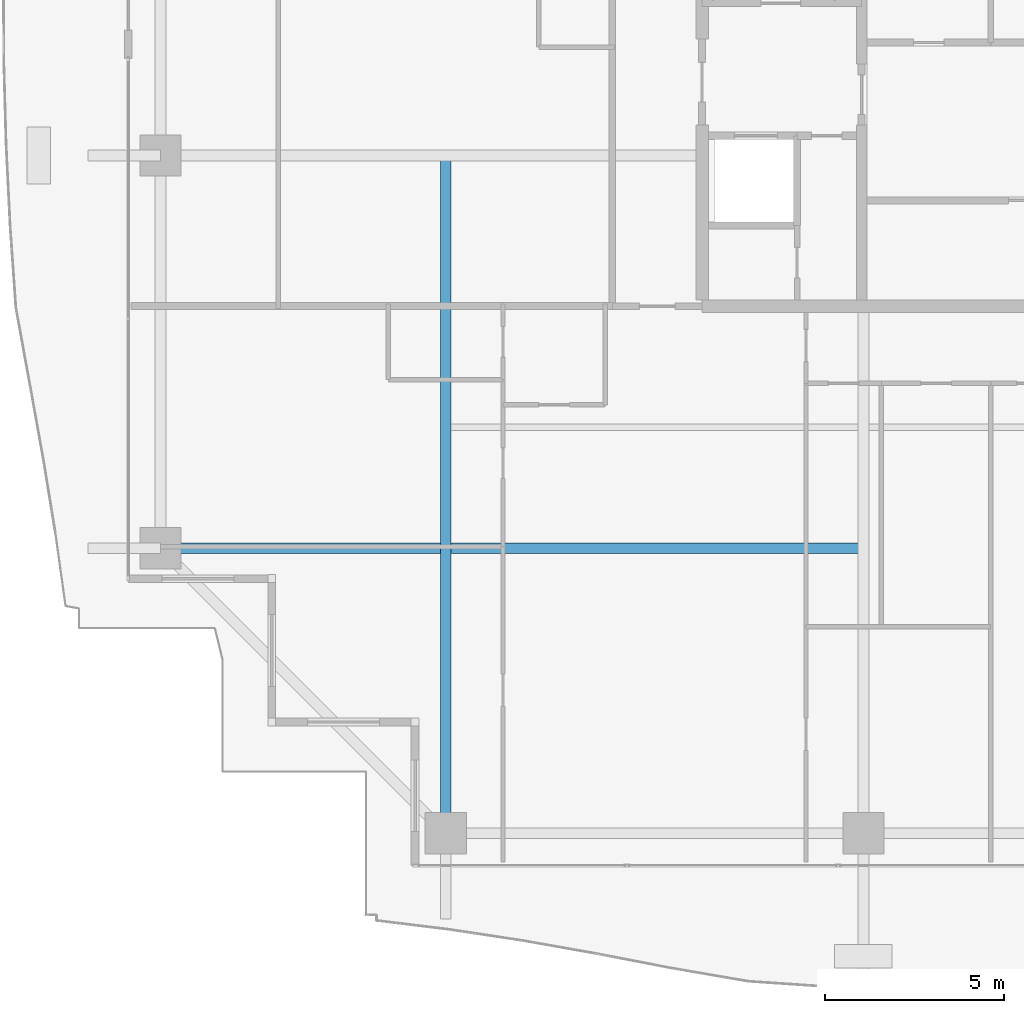
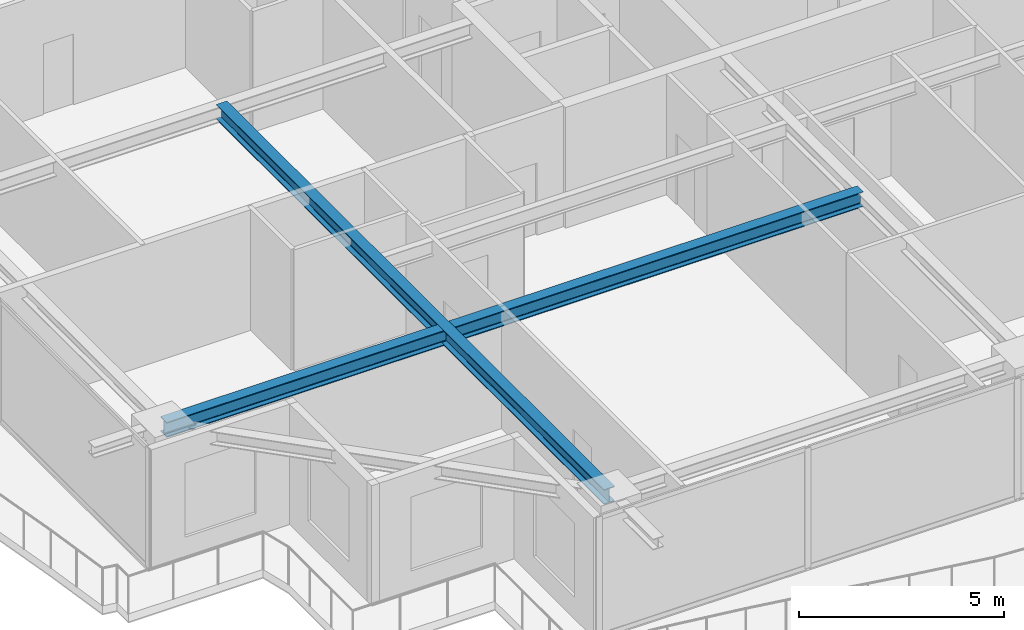
# One storey, part 4 of 36: 2 beams.
"""IFC4 building model written with IfcOpenShell, lengths in metres."""

from ifc_helpers import new_model, si_unit, direction, frame, origin, origin_2d, place, context, subcontext, project, spatial, i_section, extrude, source, transform, mapped, material, material_profile, profile_set, type_object, element, save


model = new_model("IFC4")

# Units and contexts
model_context = context("Model", 3, precision=1e-05, world=origin(), true_north=direction((0.0, 1.0)))
body_context = subcontext(model_context, "Body", "Model", "MODEL_VIEW")
ifc_project = project(units=[si_unit("LENGTHUNIT", "METRE"), si_unit("AREAUNIT", "SQUARE_METRE"), si_unit("VOLUMEUNIT", "CUBIC_METRE"), si_unit("PLANEANGLEUNIT", "RADIAN"), si_unit("MASSUNIT", "GRAM", prefix="KILO")], contexts=[model_context])

# Site, building, storey
site_placement = place(None, origin())
site = spatial("IfcSite", under=ifc_project, at=site_placement, CompositionType="ELEMENT")
building_placement = place(site_placement, origin())
building = spatial("IfcBuilding", under=site, at=building_placement, Name="Serunith Strait Residences", CompositionType="ELEMENT")
storey_placement = place(building_placement, frame((0.0, 0.0, 225.85009765625)))
storey = spatial("IfcBuildingStorey", under=building, at=storey_placement, Name="L56", CompositionType="ELEMENT", Elevation=225.85009765625)

# Beams
ifc_material = material(Name="Steel S355J2", Category="steel")
ifc_material_profile = material_profile(ifc_material, i_section(OverallWidth=0.300048828125, OverallDepth=0.449951171875, WebThickness=0.013916015625, FlangeThickness=0.02587890625, FilletRadius=0.027099609375, at=origin_2d()), Name="HEB 450")
ifc_profile_set = profile_set([ifc_material_profile], Name="Steel S355J2")
beam_type = type_object("IfcBeamType", Name="BM-HEB450", PredefinedType="BEAM", material=ifc_profile_set)
shared_shape_1 = source(origin(), body_context, "Body", "SweptSolid", [
    extrude(i_section(OverallWidth=0.300048828125, OverallDepth=0.449951171875, WebThickness=0.013916015625, FlangeThickness=0.02587890625, FilletRadius=0.027099609375, at=origin_2d()), origin(), (0.0, 0.0, 1.0), 18.89990234375),
])
beam_1_placement = place(storey_placement, frame((16.25, 21.0, 3.36181640625), z_axis=(0.0, -1.0, 0.0), x_axis=(1.0, 0.0, 0.0)))
element("IfcBeam", 1, at=beam_1_placement, inside=storey, type_object=beam_type, Name="L56 Orthogonal Corner Girder TC-S1", PredefinedType="BEAM", context=body_context, shape_type="MappedRepresentation", body=[
    mapped(shared_shape_1, transform((0.0, 0.0, 0.0), scale=1.0)),
])
shared_shape_2 = source(origin(), body_context, "Body", "SweptSolid", [
    extrude(i_section(OverallWidth=0.300048828125, OverallDepth=0.449951171875, WebThickness=0.013916015625, FlangeThickness=0.02587890625, FilletRadius=0.027099609375, at=origin_2d()), origin(), (0.0, 0.0, 1.0), 19.599853515625),
])
beam_2_placement = place(storey_placement, frame((27.89990234375, 10.050048828125, 3.36181640625), z_axis=(-1.0, 0.0, 0.0), x_axis=(0.0, -1.0, 0.0)))
element("IfcBeam", 2, at=beam_2_placement, inside=storey, type_object=beam_type, Name="L56 Orthogonal Corner Girder TC-W1", PredefinedType="BEAM", context=body_context, shape_type="MappedRepresentation", body=[
    mapped(shared_shape_2, transform((0.0, 0.0, 0.0), scale=1.0)),
])

save(model, "model.ifc")
